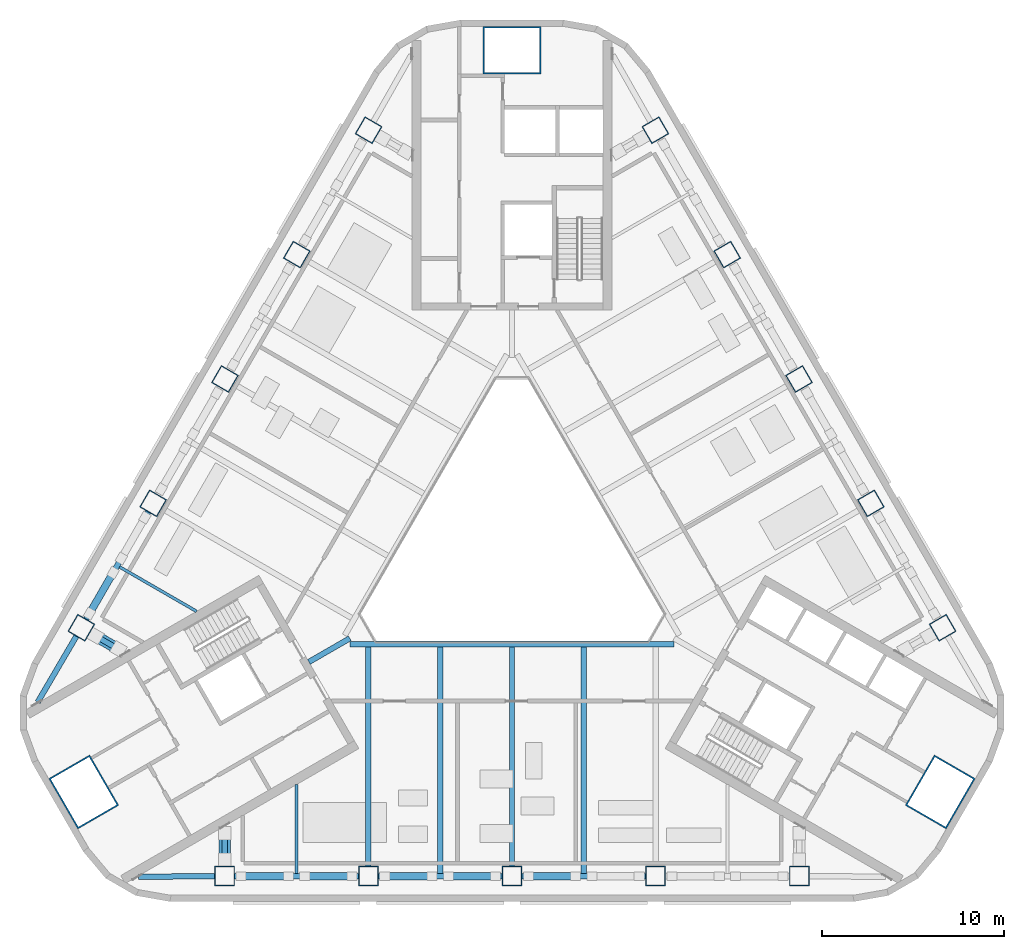
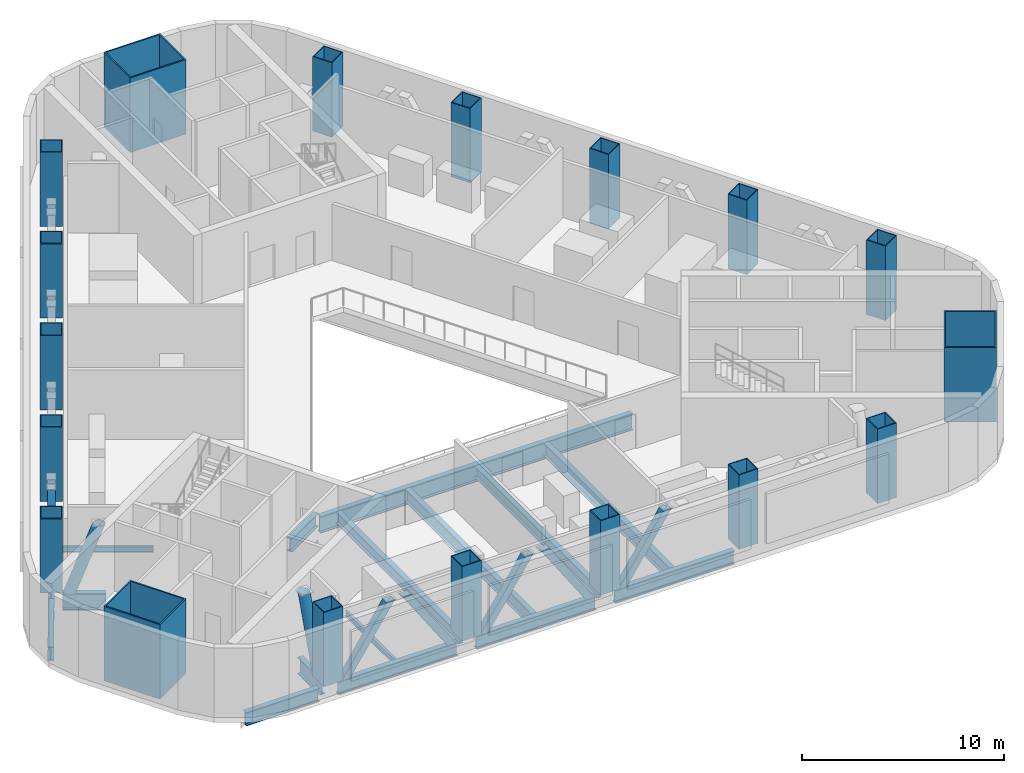
# One storey, part 1 of 15: 18 columns, 16 members, 8 beams.
"""IFC4 building model written with IfcOpenShell, lengths in metres."""

from ifc_helpers import new_model, si_unit, direction, frame, origin, origin_2d, place, context, subcontext, project, spatial, rectangle, hollow_rectangle, hollow_circle, i_section, extrude, boolean, halfspace, material, material_profile, profile_set, type_object, element, save


model = new_model("IFC4")

# Units and contexts
model_context = context("Model", 3, precision=1e-05, world=origin(), true_north=direction((0.0, 1.0)))
body_context = subcontext(model_context, "Body", "Model", "MODEL_VIEW")
ifc_project = project(units=[si_unit("LENGTHUNIT", "METRE"), si_unit("AREAUNIT", "SQUARE_METRE"), si_unit("VOLUMEUNIT", "CUBIC_METRE"), si_unit("PLANEANGLEUNIT", "RADIAN"), si_unit("MASSUNIT", "GRAM", prefix="KILO")], contexts=[model_context])

# Site, building, storey
site_placement = place(None, origin())
site = spatial("IfcSite", under=ifc_project, at=site_placement, CompositionType="ELEMENT")
building_placement = place(site_placement, origin())
building = spatial("IfcBuilding", under=site, at=building_placement, Name="Apuvela Tower Hotel", CompositionType="ELEMENT")
storey_placement = place(building_placement, frame((0.0, 0.0, 37.5)))
storey = spatial("IfcBuildingStorey", under=building, at=storey_placement, Name="L06 Plant", CompositionType="ELEMENT", Elevation=37.5)

# Columns
ifc_material_1 = material(Name="Steel S460", Category="steel")
ifc_material_profile_1 = material_profile(ifc_material_1, hollow_rectangle(XDim=3.199951171875, YDim=2.60009765625, WallThickness=0.080078125, at=origin_2d()), Name="BOX 3200x2600x80")
ifc_material_2 = material(Name="Concrete C80/95", Category="concrete")
ifc_material_profile_2 = material_profile(ifc_material_2, rectangle(XDim=3.0400390625, YDim=2.43994140625, at=origin_2d()), Name="Concrete C80/95 infill")
ifc_profile_set_1 = profile_set([ifc_material_profile_1, ifc_material_profile_2], Name="Steel S460")
column_type_1 = type_object("IfcColumnType", Name="STR-MC mega column BOX 3200x2600x80", PredefinedType="COLUMN", material=ifc_profile_set_1)
for number, where, z_axis, x_axis, name in (
    (1, (0.0, 27.199951171875, 0.0), (0.0, 0.0, 1.0), (1.0, 0.0, 0.0), "Mega column MC1 N"),
    (2, (-23.555908203125, -13.60009765625, 0.0), (0.0, 0.0, 1.0), (-0.5, 0.866025403784, 0.0), "Mega column MC1 SW"),
    (3, (23.555908203125, -13.60009765625, 0.0), (0.0, 0.0, 1.0), (0.5, 0.866025403784, 0.0), "Mega column MC1 SE"),
):
    element("IfcColumn", number, at=place(storey_placement, frame(where, z_axis=z_axis, x_axis=x_axis)), inside=storey, type_object=column_type_1, Name=name, PredefinedType="COLUMN", context=body_context, shape_type="SweptSolid", body=[
        extrude(hollow_rectangle(XDim=3.199951171875, YDim=2.60009765625, WallThickness=0.080078125, at=origin_2d()), origin(), (0.0, 0.0, 1.0), 4.5),
    ])
ifc_material_profile_3 = material_profile(ifc_material_1, hollow_rectangle(XDim=1.10009765625, YDim=1.10009765625, WallThickness=0.050048828125, at=origin_2d()), Name="BOX 1100x1100x50")
ifc_material_profile_4 = material_profile(ifc_material_2, rectangle(XDim=1.0, YDim=1.0, at=origin_2d()), Name="Concrete C80/95 infill")
ifc_profile_set_2 = profile_set([ifc_material_profile_3, ifc_material_profile_4], Name="Steel S460")
column_type_2 = type_object("IfcColumnType", Name="STR-PC perimeter column BOX 1100x1100x50", PredefinedType="COLUMN", material=ifc_profile_set_2)
column_1_placement = place(storey_placement, frame((-15.800048828125, -18.22998046875, 0.0), z_axis=(0.0, 0.0, 1.0), x_axis=(-1.0, 0.0, 0.0)))
element("IfcColumn", 4, at=column_1_placement, inside=storey, type_object=column_type_2, Name="Perimeter column C1 S1", PredefinedType="COLUMN", context=body_context, shape_type="SweptSolid", body=[
    boolean("DIFFERENCE", extrude(hollow_rectangle(XDim=1.10009765625, YDim=1.10009765625, WallThickness=0.050048828125, at=origin_2d()), origin(), (0.0, 0.0, 1.0), 4.5), halfspace(frame((0.0, 0.0, 0.007080078125), z_axis=(0.0, 0.0, 1.0), x_axis=(1.0, 0.0, 0.0)), True)),
])
column_2_placement = place(storey_placement, frame((-7.89990234375, -18.22998046875, 0.0), z_axis=(0.0, 0.0, 1.0), x_axis=(-1.0, 0.0, 0.0)))
element("IfcColumn", 5, at=column_2_placement, inside=storey, type_object=column_type_2, Name="Perimeter column C1 S2", PredefinedType="COLUMN", context=body_context, shape_type="SweptSolid", body=[
    boolean("DIFFERENCE", extrude(hollow_rectangle(XDim=1.10009765625, YDim=1.10009765625, WallThickness=0.050048828125, at=origin_2d()), origin(), (0.0, 0.0, 1.0), 4.5), halfspace(frame((0.0, 0.0, 0.00634765625), z_axis=(0.0, 0.0, 1.0), x_axis=(1.0, 0.0, 0.0)), True)),
])
column_3_placement = place(storey_placement, frame((0.0, -18.22998046875, 0.0), z_axis=(0.0, 0.0, 1.0), x_axis=(-1.0, 0.0, 0.0)))
element("IfcColumn", 6, at=column_3_placement, inside=storey, type_object=column_type_2, Name="Perimeter column C1 S3", PredefinedType="COLUMN", context=body_context, shape_type="SweptSolid", body=[
    boolean("DIFFERENCE", extrude(hollow_rectangle(XDim=1.10009765625, YDim=1.10009765625, WallThickness=0.050048828125, at=origin_2d()), origin(), (0.0, 0.0, 1.0), 4.5), halfspace(frame((0.0, 0.0, 0.006103515625), z_axis=(0.0, 0.0, 1.0), x_axis=(1.0, 0.0, 0.0)), True)),
])
column_4_placement = place(storey_placement, frame((7.89990234375, -18.22998046875, 0.0), z_axis=(0.0, 0.0, 1.0), x_axis=(-1.0, 0.0, 0.0)))
element("IfcColumn", 7, at=column_4_placement, inside=storey, type_object=column_type_2, Name="Perimeter column C1 S4", PredefinedType="COLUMN", context=body_context, shape_type="SweptSolid", body=[
    boolean("DIFFERENCE", extrude(hollow_rectangle(XDim=1.10009765625, YDim=1.10009765625, WallThickness=0.050048828125, at=origin_2d()), origin(), (0.0, 0.0, 1.0), 4.5), halfspace(frame((0.0, 0.0, 0.00634765625), z_axis=(0.0, 0.0, 1.0), x_axis=(1.0, 0.0, 0.0)), True)),
])
for number, where, z_axis, x_axis, name in (
    (8, (15.800048828125, -18.22998046875, 0.0), (0.0, 0.0, 1.0), (-1.0, 0.0, 0.0), "Perimeter column C1 S5"),
    (9, (23.6875, -4.568115234375, 0.0), (0.0, 0.0, 1.0), (-0.5, 0.866025403784, 0.0), "Perimeter column C1 NE1"),
):
    element("IfcColumn", number, at=place(storey_placement, frame(where, z_axis=z_axis, x_axis=x_axis)), inside=storey, type_object=column_type_2, Name=name, PredefinedType="COLUMN", context=body_context, shape_type="SweptSolid", body=[
        boolean("DIFFERENCE", extrude(hollow_rectangle(XDim=1.10009765625, YDim=1.10009765625, WallThickness=0.050048828125, at=origin_2d()), origin(), (0.0, 0.0, 1.0), 4.5), halfspace(frame((0.0, 0.0, 0.007080078125), z_axis=(0.0, 0.0, 1.0), x_axis=(1.0, 0.0, 0.0)), True)),
    ])
column_5_placement = place(storey_placement, frame((19.737548828125, 2.2734375, 0.0), z_axis=(0.0, 0.0, 1.0), x_axis=(-0.5, 0.866025403784, 0.0)))
element("IfcColumn", 10, at=column_5_placement, inside=storey, type_object=column_type_2, Name="Perimeter column C1 NE2", PredefinedType="COLUMN", context=body_context, shape_type="SweptSolid", body=[
    boolean("DIFFERENCE", extrude(hollow_rectangle(XDim=1.10009765625, YDim=1.10009765625, WallThickness=0.050048828125, at=origin_2d()), origin(), (0.0, 0.0, 1.0), 4.5), halfspace(frame((0.0, 0.0, 0.00634765625), z_axis=(0.0, 0.0, 1.0), x_axis=(1.0, 0.0, 0.0)), True)),
])
column_6_placement = place(storey_placement, frame((15.78759765625, 9.114990234375, 0.0), z_axis=(0.0, 0.0, 1.0), x_axis=(-0.5, 0.866025403784, 0.0)))
element("IfcColumn", 11, at=column_6_placement, inside=storey, type_object=column_type_2, Name="Perimeter column C1 NE3", PredefinedType="COLUMN", context=body_context, shape_type="SweptSolid", body=[
    boolean("DIFFERENCE", extrude(hollow_rectangle(XDim=1.10009765625, YDim=1.10009765625, WallThickness=0.050048828125, at=origin_2d()), origin(), (0.0, 0.0, 1.0), 4.5), halfspace(frame((0.0, 0.0, 0.006103515625), z_axis=(0.0, 0.0, 1.0), x_axis=(1.0, 0.0, 0.0)), True)),
])
column_7_placement = place(storey_placement, frame((11.837646484375, 15.95654296875, 0.0), z_axis=(0.0, 0.0, 1.0), x_axis=(-0.5, 0.866025403784, 0.0)))
element("IfcColumn", 12, at=column_7_placement, inside=storey, type_object=column_type_2, Name="Perimeter column C1 NE4", PredefinedType="COLUMN", context=body_context, shape_type="SweptSolid", body=[
    boolean("DIFFERENCE", extrude(hollow_rectangle(XDim=1.10009765625, YDim=1.10009765625, WallThickness=0.050048828125, at=origin_2d()), origin(), (0.0, 0.0, 1.0), 4.5), halfspace(frame((0.0, 0.0, 0.00634765625), z_axis=(0.0, 0.0, 1.0), x_axis=(1.0, 0.0, 0.0)), True)),
])
for number, where, z_axis, x_axis, name in (
    (13, (7.8876953125, 22.798095703125, 0.0), (0.0, 0.0, 1.0), (-0.5, 0.866025403784, 0.0), "Perimeter column C1 NE5"),
    (14, (-7.8876953125, 22.798095703125, 0.0), (0.0, 0.0, 1.0), (0.5, 0.866025403784, 0.0), "Perimeter column C1 NW1"),
):
    element("IfcColumn", number, at=place(storey_placement, frame(where, z_axis=z_axis, x_axis=x_axis)), inside=storey, type_object=column_type_2, Name=name, PredefinedType="COLUMN", context=body_context, shape_type="SweptSolid", body=[
        boolean("DIFFERENCE", extrude(hollow_rectangle(XDim=1.10009765625, YDim=1.10009765625, WallThickness=0.050048828125, at=origin_2d()), origin(), (0.0, 0.0, 1.0), 4.5), halfspace(frame((0.0, 0.0, 0.007080078125), z_axis=(0.0, 0.0, 1.0), x_axis=(1.0, 0.0, 0.0)), True)),
    ])
column_8_placement = place(storey_placement, frame((-11.837646484375, 15.95654296875, 0.0), z_axis=(0.0, 0.0, 1.0), x_axis=(0.5, 0.866025403784, 0.0)))
element("IfcColumn", 15, at=column_8_placement, inside=storey, type_object=column_type_2, Name="Perimeter column C1 NW2", PredefinedType="COLUMN", context=body_context, shape_type="SweptSolid", body=[
    boolean("DIFFERENCE", extrude(hollow_rectangle(XDim=1.10009765625, YDim=1.10009765625, WallThickness=0.050048828125, at=origin_2d()), origin(), (0.0, 0.0, 1.0), 4.5), halfspace(frame((0.0, 0.0, 0.00634765625), z_axis=(0.0, 0.0, 1.0), x_axis=(1.0, 0.0, 0.0)), True)),
])
column_9_placement = place(storey_placement, frame((-15.78759765625, 9.114990234375, 0.0), z_axis=(0.0, 0.0, 1.0), x_axis=(0.5, 0.866025403784, 0.0)))
element("IfcColumn", 16, at=column_9_placement, inside=storey, type_object=column_type_2, Name="Perimeter column C1 NW3", PredefinedType="COLUMN", context=body_context, shape_type="SweptSolid", body=[
    boolean("DIFFERENCE", extrude(hollow_rectangle(XDim=1.10009765625, YDim=1.10009765625, WallThickness=0.050048828125, at=origin_2d()), origin(), (0.0, 0.0, 1.0), 4.5), halfspace(frame((0.0, 0.0, 0.006103515625), z_axis=(0.0, 0.0, 1.0), x_axis=(1.0, 0.0, 0.0)), True)),
])
column_10_placement = place(storey_placement, frame((-19.737548828125, 2.2734375, 0.0), z_axis=(0.0, 0.0, 1.0), x_axis=(0.5, 0.866025403784, 0.0)))
element("IfcColumn", 17, at=column_10_placement, inside=storey, type_object=column_type_2, Name="Perimeter column C1 NW4", PredefinedType="COLUMN", context=body_context, shape_type="SweptSolid", body=[
    boolean("DIFFERENCE", extrude(hollow_rectangle(XDim=1.10009765625, YDim=1.10009765625, WallThickness=0.050048828125, at=origin_2d()), origin(), (0.0, 0.0, 1.0), 4.5), halfspace(frame((0.0, 0.0, 0.00634765625), z_axis=(0.0, 0.0, 1.0), x_axis=(1.0, 0.0, 0.0)), True)),
])
column_11_placement = place(storey_placement, frame((-23.6875, -4.568115234375, 0.0), z_axis=(0.0, 0.0, 1.0), x_axis=(0.5, 0.866025403784, 0.0)))
element("IfcColumn", 18, at=column_11_placement, inside=storey, type_object=column_type_2, Name="Perimeter column C1 NW5", PredefinedType="COLUMN", context=body_context, shape_type="SweptSolid", body=[
    boolean("DIFFERENCE", extrude(hollow_rectangle(XDim=1.10009765625, YDim=1.10009765625, WallThickness=0.050048828125, at=origin_2d()), origin(), (0.0, 0.0, 1.0), 4.5), halfspace(frame((0.0, 0.0, 0.007080078125), z_axis=(0.0, 0.0, 1.0), x_axis=(1.0, 0.0, 0.0)), True)),
])

# Beams
ifc_material_3 = material(Name="Steel S355", Category="steel")
ifc_material_profile_5 = material_profile(ifc_material_3, i_section(OverallWidth=0.300048828125, OverallDepth=0.68994140625, WebThickness=0.014404296875, FlangeThickness=0.027099609375, at=origin_2d()), Name="HE 700 A")
ifc_profile_set_3 = profile_set([ifc_material_profile_5], Name="Steel S355")
beam_type_1 = type_object("IfcBeamType", Name="STR-B floor beam HE 700 A", PredefinedType="BEAM", material=ifc_profile_set_3)
for number, where, z_axis, x_axis, name in (
    (19, (-7.89990234375, -17.679931640625, -0.64501953125), (0.0, 1.0, 0.0), (-1.0, 0.0, 0.0), "Floor beam B6 S3"),
    (20, (0.0, -17.679931640625, -0.64501953125), (0.0, 1.0, 0.0), (-1.0, 0.0, 0.0), "Floor beam B6 S5"),
):
    element("IfcBeam", number, at=place(storey_placement, frame(where, z_axis=z_axis, x_axis=x_axis)), inside=storey, type_object=beam_type_1, Name=name, PredefinedType="BEAM", context=body_context, shape_type="SweptSolid", body=[
        extrude(i_section(OverallWidth=0.300048828125, OverallDepth=0.68994140625, WebThickness=0.014404296875, FlangeThickness=0.027099609375, at=origin_2d()), origin(), (0.0, 0.0, 1.0), 12.057861328125),
    ])
ifc_material_profile_6 = material_profile(ifc_material_3, i_section(OverallWidth=0.300048828125, OverallDepth=0.7900390625, WebThickness=0.014892578125, FlangeThickness=0.028076171875, at=origin_2d()), Name="HE 800 A")
ifc_profile_set_4 = profile_set([ifc_material_profile_6], Name="Steel S355")
beam_type_2 = type_object("IfcBeamType", Name="STR-B floor beam HE 800 A", PredefinedType="BEAM", material=ifc_profile_set_4)
for number, where, z_axis, x_axis, name in (
    (21, (-3.949951171875, -18.07861328125, -0.695068359375), (0.0, 1.0, 0.0), (-1.0, 0.0, 0.0), "Floor beam B5 S4"),
    (22, (3.949951171875, -18.07861328125, -0.695068359375), (0.0, 1.0, 0.0), (-1.0, 0.0, 0.0), "Floor beam B5 S6"),
):
    element("IfcBeam", number, at=place(storey_placement, frame(where, z_axis=z_axis, x_axis=x_axis)), inside=storey, type_object=beam_type_2, Name=name, PredefinedType="BEAM", context=body_context, shape_type="SweptSolid", body=[
        extrude(i_section(OverallWidth=0.300048828125, OverallDepth=0.7900390625, WebThickness=0.014892578125, FlangeThickness=0.028076171875, at=origin_2d()), origin(), (0.0, 0.0, 1.0), 12.45654296875),
    ])
ifc_material_profile_7 = material_profile(ifc_material_3, i_section(OverallWidth=0.159912109375, OverallDepth=0.330078125, WebThickness=0.007568359375, FlangeThickness=0.011474609375, at=origin_2d()), Name="IPE 330")
ifc_profile_set_5 = profile_set([ifc_material_profile_7], Name="Steel S355")
beam_type_3 = type_object("IfcBeamType", Name="STR-B floor beam IPE 330", PredefinedType="BEAM", material=ifc_profile_set_5)
beam_1_placement = place(storey_placement, frame((-21.581298828125, -1.22314453125, -0.465087890625), z_axis=(0.866005010506, -0.500035320531, 0.0), x_axis=(0.500035320531, 0.866005010506, 0.0)))
element("IfcBeam", 23, at=beam_1_placement, inside=storey, type_object=beam_type_3, Name="Floor beam B1 NW8", PredefinedType="BEAM", context=body_context, shape_type="SweptSolid", body=[
    extrude(i_section(OverallWidth=0.159912109375, OverallDepth=0.330078125, WebThickness=0.007568359375, FlangeThickness=0.011474609375, at=origin_2d()), origin(), (0.0, 0.0, 1.0), 4.885986328125),
])
beam_2_placement = place(storey_placement, frame((-11.85009765625, -18.07861328125, -0.465087890625), z_axis=(0.0, 1.0, 0.0), x_axis=(-1.0, 0.0, 0.0)))
element("IfcBeam", 24, at=beam_2_placement, inside=storey, type_object=beam_type_3, Name="Floor beam B1 S2", PredefinedType="BEAM", context=body_context, shape_type="SweptSolid", body=[
    extrude(i_section(OverallWidth=0.159912109375, OverallDepth=0.330078125, WebThickness=0.007568359375, FlangeThickness=0.011474609375, at=origin_2d()), origin(), (0.0, 0.0, 1.0), 4.88623046875),
])
ifc_material_profile_8 = material_profile(ifc_material_3, i_section(OverallWidth=0.302001953125, OverallDepth=1.008056640625, WebThickness=0.02099609375, FlangeThickness=0.0400390625, at=origin_2d()), Name="HE 1000 M")
ifc_profile_set_6 = profile_set([ifc_material_profile_8], Name="Steel S355")
beam_type_4 = type_object("IfcBeamType", Name="STR-G atrium ring girder HE 1000 M", PredefinedType="BEAM", material=ifc_profile_set_6)
beam_3_placement = place(storey_placement, frame((-8.91455078125, -5.470947265625, -0.803955078125), z_axis=(1.0, 0.0, 0.0), x_axis=(0.0, 1.0, 0.0)))
element("IfcBeam", 25, at=beam_3_placement, inside=storey, type_object=beam_type_4, Name="Atrium ring girder G1 SW-SE", PredefinedType="BEAM", context=body_context, shape_type="SweptSolid", body=[
    extrude(i_section(OverallWidth=0.302001953125, OverallDepth=1.008056640625, WebThickness=0.02099609375, FlangeThickness=0.0400390625, at=origin_2d()), origin(), (0.0, 0.0, 1.0), 17.8291015625),
])
ifc_material_profile_9 = material_profile(ifc_material_3, i_section(OverallWidth=0.300048828125, OverallDepth=0.800048828125, WebThickness=0.017578125, FlangeThickness=0.032958984375, at=origin_2d()), Name="HE 800 B")
ifc_profile_set_7 = profile_set([ifc_material_profile_9], Name="Steel S355")
beam_type_5 = type_object("IfcBeamType", Name="STR-GT core tie beam HE 800 B", PredefinedType="BEAM", material=ifc_profile_set_7)
beam_4_placement = place(storey_placement, frame((-11.171630859375, -6.449951171875, -0.699951171875), z_axis=(0.865997922154, 0.500047596559, 0.0), x_axis=(-0.500047596559, 0.865997922154, 0.0)))
element("IfcBeam", 26, at=beam_4_placement, inside=storey, type_object=beam_type_5, Name="Core tie beam GT1 SW", PredefinedType="BEAM", context=body_context, shape_type="SweptSolid", body=[
    extrude(i_section(OverallWidth=0.300048828125, OverallDepth=0.800048828125, WebThickness=0.017578125, FlangeThickness=0.032958984375, at=origin_2d()), origin(), (0.0, 0.0, 1.0), 2.599853515625),
])

# Members
ifc_material_profile_10 = material_profile(ifc_material_3, i_section(OverallWidth=0.302978515625, OverallDepth=0.81396484375, WebThickness=0.02099609375, FlangeThickness=0.0400390625, at=origin_2d()), Name="HE 800 M")
ifc_profile_set_8 = profile_set([ifc_material_profile_10], Name="Steel S355")
member_type_1 = type_object("IfcMemberType", Name="STR-T0 belt truss chord HE 800 M", PredefinedType="CHORD", material=ifc_profile_set_8)
for number, where, z_axis, x_axis, name in (
    (27, (-15.25, -18.22998046875, -0.70703125), (1.0, 0.0, 0.0), (0.0, 1.0, 0.0), "Belt chord BT1 S1"),
    (28, (-7.35009765625, -18.22998046875, -0.70703125), (1.0, 0.0, 0.0), (0.0, 1.0, 0.0), "Belt chord BT1 S2"),
    (29, (0.550048828125, -18.22998046875, -0.70703125), (1.0, 0.0, 0.0), (0.0, 1.0, 0.0), "Belt chord BT1 S3"),
):
    element("IfcMember", number, at=place(storey_placement, frame(where, z_axis=z_axis, x_axis=x_axis)), inside=storey, type_object=member_type_1, Name=name, PredefinedType="CHORD", context=body_context, shape_type="SweptSolid", body=[
        extrude(i_section(OverallWidth=0.302978515625, OverallDepth=0.81396484375, WebThickness=0.02099609375, FlangeThickness=0.0400390625, at=origin_2d()), origin(), (0.0, 0.0, 1.0), 6.800048828125),
    ])
member_1_placement = place(storey_placement, frame((-20.0126953125, 1.797119140625, -0.70703125), z_axis=(-0.499992841449, -0.866029536736, 0.0), x_axis=(0.866029536736, -0.499992841449, 0.0)))
element("IfcMember", 30, at=member_1_placement, inside=storey, type_object=member_type_1, Name="Belt chord BT1 NW4", PredefinedType="CHORD", context=body_context, shape_type="SweptSolid", body=[
    extrude(i_section(OverallWidth=0.302978515625, OverallDepth=0.81396484375, WebThickness=0.02099609375, FlangeThickness=0.0400390625, at=origin_2d()), origin(), (0.0, 0.0, 1.0), 6.7998046875),
])
member_2_placement = place(storey_placement, frame((-16.35009765625, -18.23388671875, -0.70703125), z_axis=(-0.999976495178, -0.006856317631, 0.0), x_axis=(0.006856317631, -0.999976495178, 0.0)))
element("IfcMember", 31, at=member_2_placement, inside=storey, type_object=member_type_1, Name="Belt chord BT1 S1-SW", PredefinedType="CHORD", context=body_context, shape_type="SweptSolid", body=[
    extrude(i_section(OverallWidth=0.302978515625, OverallDepth=0.81396484375, WebThickness=0.02099609375, FlangeThickness=0.0400390625, at=origin_2d()), origin(), (0.0, 0.0, 1.0), 4.20166015625),
])
member_3_placement = place(storey_placement, frame((-23.9658203125, -5.04248046875, -0.70703125), z_axis=(-0.505943145698, -0.862566828322, 0.0), x_axis=(0.862566828322, -0.505943145698, 0.0)))
element("IfcMember", 32, at=member_3_placement, inside=storey, type_object=member_type_1, Name="Belt chord BT1 NW5-SW", PredefinedType="CHORD", context=body_context, shape_type="SweptSolid", body=[
    extrude(i_section(OverallWidth=0.302978515625, OverallDepth=0.81396484375, WebThickness=0.02099609375, FlangeThickness=0.0400390625, at=origin_2d()), origin(), (0.0, 0.0, 1.0), 4.201904296875),
])
ifc_material_profile_11 = material_profile(ifc_material_3, hollow_rectangle(XDim=0.39990234375, YDim=0.39990234375, WallThickness=0.02001953125, at=origin_2d()), Name="SHS 400x400x20")
ifc_profile_set_9 = profile_set([ifc_material_profile_11], Name="Steel S355")
member_type_2 = type_object("IfcMemberType", Name="STR-T0 belt truss diagonal SHS 400x400x20", PredefinedType="BRACE", material=ifc_profile_set_9)
member_4_placement = place(storey_placement, frame((-14.89990234375, -18.22998046875, -0.300048828125), z_axis=(0.554664136145, 0.0, 0.832074333263), x_axis=(-0.832074333263, 0.0, 0.554664136145)))
solid_1 = boolean("DIFFERENCE", boolean("DIFFERENCE", extrude(hollow_rectangle(XDim=0.39990234375, YDim=0.39990234375, WallThickness=0.02001953125, at=origin_2d()), frame((0.0, 0.0, -0.25341796875)), (0.0, 0.0, 1.0), 5.19384765625), halfspace(frame((0.0, 0.0, 0.024169921875), z_axis=(0.554664136145, 0.0, 0.832074333263), x_axis=(0.832074333263, 0.0, -0.554664136145)), True)), halfspace(frame((0.0, 0.0, 4.6630859375), z_axis=(0.554664136145, 0.0, 0.832074333263), x_axis=(0.832074333263, 0.0, -0.554664136145)), False))
element("IfcMember", 33, at=member_4_placement, inside=storey, type_object=member_type_2, Name="Belt truss diagonal BR1 S1", PredefinedType="BRACE", context=body_context, shape_type="SweptSolid", body=[
    boolean("UNION", boolean("DIFFERENCE", boolean("DIFFERENCE", extrude(hollow_rectangle(XDim=0.39990234375, YDim=0.39990234375, WallThickness=0.02001953125, at=origin_2d()), origin(), (0.0, 0.0, 1.0), 4.687255859375), halfspace(frame((0.0, 0.0, 0.024169921875), z_axis=(0.554664136145, 0.0, 0.832074333263), x_axis=(0.832074333263, 0.0, -0.554664136145)), True)), halfspace(frame((0.0, 0.0, 4.6630859375), z_axis=(0.554664136145, 0.0, 0.832074333263), x_axis=(0.832074333263, 0.0, -0.554664136145)), False)), solid_1),
])
member_5_placement = place(storey_placement, frame((-8.800048828125, -18.22998046875, -0.300048828125), z_axis=(-0.554664136145, 0.0, 0.832074333263), x_axis=(0.832074333263, 0.0, 0.554664136145)))
solid_2 = boolean("DIFFERENCE", boolean("DIFFERENCE", extrude(hollow_rectangle(XDim=0.39990234375, YDim=0.39990234375, WallThickness=0.02001953125, at=origin_2d()), frame((0.0, 0.0, -0.25341796875)), (0.0, 0.0, 1.0), 5.19384765625), halfspace(frame((0.0, 0.0, 0.024169921875), z_axis=(0.554664136145, 0.0, 0.832074333263), x_axis=(0.832074333263, 0.0, -0.554664136145)), True)), halfspace(frame((0.0, 0.0, 4.6630859375), z_axis=(0.554664136145, 0.0, 0.832074333263), x_axis=(0.832074333263, 0.0, -0.554664136145)), False))
element("IfcMember", 34, at=member_5_placement, inside=storey, type_object=member_type_2, Name="Belt truss diagonal BR1 S1", PredefinedType="BRACE", context=body_context, shape_type="SweptSolid", body=[
    boolean("UNION", boolean("DIFFERENCE", boolean("DIFFERENCE", extrude(hollow_rectangle(XDim=0.39990234375, YDim=0.39990234375, WallThickness=0.02001953125, at=origin_2d()), origin(), (0.0, 0.0, 1.0), 4.687255859375), halfspace(frame((0.0, 0.0, 0.024169921875), z_axis=(0.554664136145, 0.0, 0.832074333263), x_axis=(0.832074333263, 0.0, -0.554664136145)), True)), halfspace(frame((0.0, 0.0, 4.6630859375), z_axis=(0.554664136145, 0.0, 0.832074333263), x_axis=(0.832074333263, 0.0, -0.554664136145)), False)), solid_2),
])
member_6_placement = place(storey_placement, frame((-7.0, -18.22998046875, -0.300048828125), z_axis=(0.554700196225, 0.0, 0.832050294338), x_axis=(-0.832050294338, 0.0, 0.554700196225)))
solid_3 = boolean("DIFFERENCE", boolean("DIFFERENCE", extrude(hollow_rectangle(XDim=0.39990234375, YDim=0.39990234375, WallThickness=0.02001953125, at=origin_2d()), frame((0.0, 0.0, -0.25341796875)), (0.0, 0.0, 1.0), 5.194091796875), halfspace(frame((0.0, 0.0, 0.024169921875), z_axis=(0.554700196225, 0.0, 0.832050294338), x_axis=(0.832050294338, 0.0, -0.554700196225)), True)), halfspace(frame((0.0, 0.0, 4.663330078125), z_axis=(0.554700196225, 0.0, 0.832050294338), x_axis=(0.832050294338, 0.0, -0.554700196225)), False))
element("IfcMember", 35, at=member_6_placement, inside=storey, type_object=member_type_2, Name="Belt truss diagonal BR1 S2", PredefinedType="BRACE", context=body_context, shape_type="SweptSolid", body=[
    boolean("UNION", boolean("DIFFERENCE", boolean("DIFFERENCE", extrude(hollow_rectangle(XDim=0.39990234375, YDim=0.39990234375, WallThickness=0.02001953125, at=origin_2d()), origin(), (0.0, 0.0, 1.0), 4.6875), halfspace(frame((0.0, 0.0, 0.024169921875), z_axis=(0.554700196225, 0.0, 0.832050294338), x_axis=(0.832050294338, 0.0, -0.554700196225)), True)), halfspace(frame((0.0, 0.0, 4.663330078125), z_axis=(0.554700196225, 0.0, 0.832050294338), x_axis=(0.832050294338, 0.0, -0.554700196225)), False)), solid_3),
])
member_7_placement = place(storey_placement, frame((-0.89990234375, -18.22998046875, -0.300048828125), z_axis=(-0.554700196225, 0.0, 0.832050294338), x_axis=(0.832050294338, 0.0, 0.554700196225)))
solid_4 = boolean("DIFFERENCE", boolean("DIFFERENCE", extrude(hollow_rectangle(XDim=0.39990234375, YDim=0.39990234375, WallThickness=0.02001953125, at=origin_2d()), frame((0.0, 0.0, -0.25341796875)), (0.0, 0.0, 1.0), 5.194091796875), halfspace(frame((0.0, 0.0, 0.024169921875), z_axis=(0.554700196225, 0.0, 0.832050294338), x_axis=(0.832050294338, 0.0, -0.554700196225)), True)), halfspace(frame((0.0, 0.0, 4.663330078125), z_axis=(0.554700196225, 0.0, 0.832050294338), x_axis=(0.832050294338, 0.0, -0.554700196225)), False))
element("IfcMember", 36, at=member_7_placement, inside=storey, type_object=member_type_2, Name="Belt truss diagonal BR1 S2", PredefinedType="BRACE", context=body_context, shape_type="SweptSolid", body=[
    boolean("UNION", boolean("DIFFERENCE", boolean("DIFFERENCE", extrude(hollow_rectangle(XDim=0.39990234375, YDim=0.39990234375, WallThickness=0.02001953125, at=origin_2d()), origin(), (0.0, 0.0, 1.0), 4.6875), halfspace(frame((0.0, 0.0, 0.024169921875), z_axis=(0.554700196225, 0.0, 0.832050294338), x_axis=(0.832050294338, 0.0, -0.554700196225)), True)), halfspace(frame((0.0, 0.0, 4.663330078125), z_axis=(0.554700196225, 0.0, 0.832050294338), x_axis=(0.832050294338, 0.0, -0.554700196225)), False)), solid_4),
])
member_8_placement = place(storey_placement, frame((0.89990234375, -18.22998046875, -0.300048828125), z_axis=(0.554700196225, 0.0, 0.832050294338), x_axis=(-0.832050294338, 0.0, 0.554700196225)))
solid_5 = boolean("DIFFERENCE", boolean("DIFFERENCE", extrude(hollow_rectangle(XDim=0.39990234375, YDim=0.39990234375, WallThickness=0.02001953125, at=origin_2d()), frame((0.0, 0.0, -0.25341796875)), (0.0, 0.0, 1.0), 5.194091796875), halfspace(frame((0.0, 0.0, 0.024169921875), z_axis=(0.554700196225, 0.0, 0.832050294338), x_axis=(0.832050294338, 0.0, -0.554700196225)), True)), halfspace(frame((0.0, 0.0, 4.663330078125), z_axis=(0.554700196225, 0.0, 0.832050294338), x_axis=(0.832050294338, 0.0, -0.554700196225)), False))
element("IfcMember", 37, at=member_8_placement, inside=storey, type_object=member_type_2, Name="Belt truss diagonal BR1 S3", PredefinedType="BRACE", context=body_context, shape_type="SweptSolid", body=[
    boolean("UNION", boolean("DIFFERENCE", boolean("DIFFERENCE", extrude(hollow_rectangle(XDim=0.39990234375, YDim=0.39990234375, WallThickness=0.02001953125, at=origin_2d()), origin(), (0.0, 0.0, 1.0), 4.6875), halfspace(frame((0.0, 0.0, 0.024169921875), z_axis=(0.554700196225, 0.0, 0.832050294338), x_axis=(0.832050294338, 0.0, -0.554700196225)), True)), halfspace(frame((0.0, 0.0, 4.663330078125), z_axis=(0.554700196225, 0.0, 0.832050294338), x_axis=(0.832050294338, 0.0, -0.554700196225)), False)), solid_5),
])
member_9_placement = place(storey_placement, frame((-23.237548828125, -3.788818359375, -0.300048828125), z_axis=(0.277351281637, 0.48037762827, 0.832053844911), x_axis=(-0.416032692245, -0.720576435789, 0.554694870328)))
solid_6 = boolean("DIFFERENCE", boolean("DIFFERENCE", extrude(hollow_rectangle(XDim=0.39990234375, YDim=0.39990234375, WallThickness=0.02001953125, at=origin_2d()), frame((0.0, 0.0, -0.25341796875)), (0.0, 0.0, 1.0), 5.194091796875), halfspace(frame((0.0, 0.0, 0.024169921875), z_axis=(0.554694870328, 0.0, 0.832053844911), x_axis=(0.832053844911, 0.0, -0.554694870328)), True)), halfspace(frame((0.0, 0.0, 4.663330078125), z_axis=(0.554694870328, 0.0, 0.832053844911), x_axis=(0.832053844911, 0.0, -0.554694870328)), False))
element("IfcMember", 38, at=member_9_placement, inside=storey, type_object=member_type_2, Name="Belt truss diagonal BR1 NW4", PredefinedType="BRACE", context=body_context, shape_type="SweptSolid", body=[
    boolean("UNION", boolean("DIFFERENCE", boolean("DIFFERENCE", extrude(hollow_rectangle(XDim=0.39990234375, YDim=0.39990234375, WallThickness=0.02001953125, at=origin_2d()), origin(), (0.0, 0.0, 1.0), 4.687255859375), halfspace(frame((0.0, 0.0, 0.024169921875), z_axis=(0.554694870328, 0.0, 0.832053844911), x_axis=(0.832053844911, 0.0, -0.554694870328)), True)), halfspace(frame((0.0, 0.0, 4.663330078125), z_axis=(0.554694870328, 0.0, 0.832053844911), x_axis=(0.832053844911, 0.0, -0.554694870328)), False)), solid_6),
])
ifc_material_profile_12 = material_profile(ifc_material_3, i_section(OverallWidth=0.302001953125, OverallDepth=1.008056640625, WebThickness=0.02099609375, FlangeThickness=0.0400390625, at=origin_2d()), Name="HE 1000 M")
ifc_profile_set_10 = profile_set([ifc_material_profile_12], Name="Steel S355")
member_type_3 = type_object("IfcMemberType", Name="STR-T0 outrigger truss chord HE 1000 M", PredefinedType="CHORD", material=ifc_profile_set_10)
for number, where, z_axis, x_axis, name in (
    (39, (-23.211181640625, -4.84326171875, -0.803955078125), (0.866016227542, -0.500015893381, 0.0), (0.500015893381, 0.866016227542, 0.0), "Outrigger chord OC1 NW5"),
    (40, (-15.800048828125, -17.679931640625, -0.803955078125), (0.0, 1.0, 0.0), (-1.0, 0.0, 0.0), "Outrigger chord OC1 S1"),
):
    element("IfcMember", number, at=place(storey_placement, frame(where, z_axis=z_axis, x_axis=x_axis)), inside=storey, type_object=member_type_3, Name=name, PredefinedType="CHORD", context=body_context, shape_type="SweptSolid", body=[
        extrude(i_section(OverallWidth=0.302001953125, OverallDepth=1.008056640625, WebThickness=0.02099609375, FlangeThickness=0.0400390625, at=origin_2d()), origin(), (0.0, 0.0, 1.0), 2.16064453125),
    ])
ifc_material_profile_13 = material_profile(ifc_material_3, hollow_circle(Radius=0.304931640625, WallThickness=0.02490234375, at=origin_2d()), Name="CHS 610x25")
ifc_profile_set_11 = profile_set([ifc_material_profile_13], Name="Steel S355")
member_type_4 = type_object("IfcMemberType", Name="STR-T0 outrigger truss diagonal CHS 610x25", PredefinedType="BRACE", material=ifc_profile_set_11)
member_10_placement = place(storey_placement, frame((-22.908203125, -5.018310546875, -0.300048828125), z_axis=(0.28632029481, -0.16526128942, 0.943774016913), x_axis=(-0.817388896845, 0.471788921355, 0.330591296015)))
solid_7 = boolean("DIFFERENCE", boolean("DIFFERENCE", extrude(hollow_circle(Radius=0.304931640625, WallThickness=0.02490234375, at=origin_2d()), frame((0.0, 0.0, -0.226806640625)), (0.0, 0.0, 1.0), 4.872314453125), halfspace(frame((0.0, 0.0, 0.021240234375), z_axis=(0.330591296015, 0.0, 0.943774016913), x_axis=(0.943774016913, 0.0, -0.330591296015)), True)), halfspace(frame((0.0, 0.0, 4.397216796875), z_axis=(0.330591296015, 0.0, 0.943774016913), x_axis=(0.943774016913, 0.0, -0.330591296015)), False))
element("IfcMember", 41, at=member_10_placement, inside=storey, type_object=member_type_4, Name="Outrigger diagonal OD1 NW5", PredefinedType="BRACE", context=body_context, shape_type="SweptSolid", body=[
    boolean("UNION", boolean("DIFFERENCE", boolean("DIFFERENCE", extrude(hollow_circle(Radius=0.304931640625, WallThickness=0.02490234375, at=origin_2d()), origin(), (0.0, 0.0, 1.0), 4.418701171875), halfspace(frame((0.0, 0.0, 0.021240234375), z_axis=(0.330591296015, 0.0, 0.943774016913), x_axis=(0.943774016913, 0.0, -0.330591296015)), True)), halfspace(frame((0.0, 0.0, 4.397216796875), z_axis=(0.330591296015, 0.0, 0.943774016913), x_axis=(0.943774016913, 0.0, -0.330591296015)), False)), solid_7),
])
member_11_placement = place(storey_placement, frame((-15.800048828125, -17.330078125, -0.300048828125), z_axis=(0.0, 0.330628516685, 0.94376097819), x_axis=(0.0, -0.94376097819, 0.330628516685)))
solid_8 = boolean("DIFFERENCE", boolean("DIFFERENCE", extrude(hollow_circle(Radius=0.304931640625, WallThickness=0.02490234375, at=origin_2d()), frame((0.0, 0.0, -0.226806640625)), (0.0, 0.0, 1.0), 4.872314453125), halfspace(frame((0.0, 0.0, 0.021240234375), z_axis=(0.330628516685, 0.0, 0.94376097819), x_axis=(0.94376097819, 0.0, -0.330628516685)), True)), halfspace(frame((0.0, 0.0, 4.3974609375), z_axis=(0.330628516685, 0.0, 0.94376097819), x_axis=(0.94376097819, 0.0, -0.330628516685)), False))
element("IfcMember", 42, at=member_11_placement, inside=storey, type_object=member_type_4, Name="Outrigger diagonal OD1 S1", PredefinedType="BRACE", context=body_context, shape_type="SweptSolid", body=[
    boolean("UNION", boolean("DIFFERENCE", boolean("DIFFERENCE", extrude(hollow_circle(Radius=0.304931640625, WallThickness=0.02490234375, at=origin_2d()), origin(), (0.0, 0.0, 1.0), 4.418701171875), halfspace(frame((0.0, 0.0, 0.021240234375), z_axis=(0.330628516685, 0.0, 0.94376097819), x_axis=(0.94376097819, 0.0, -0.330628516685)), True)), halfspace(frame((0.0, 0.0, 4.3974609375), z_axis=(0.330628516685, 0.0, 0.94376097819), x_axis=(0.94376097819, 0.0, -0.330628516685)), False)), solid_8),
])

save(model, "model.ifc")
